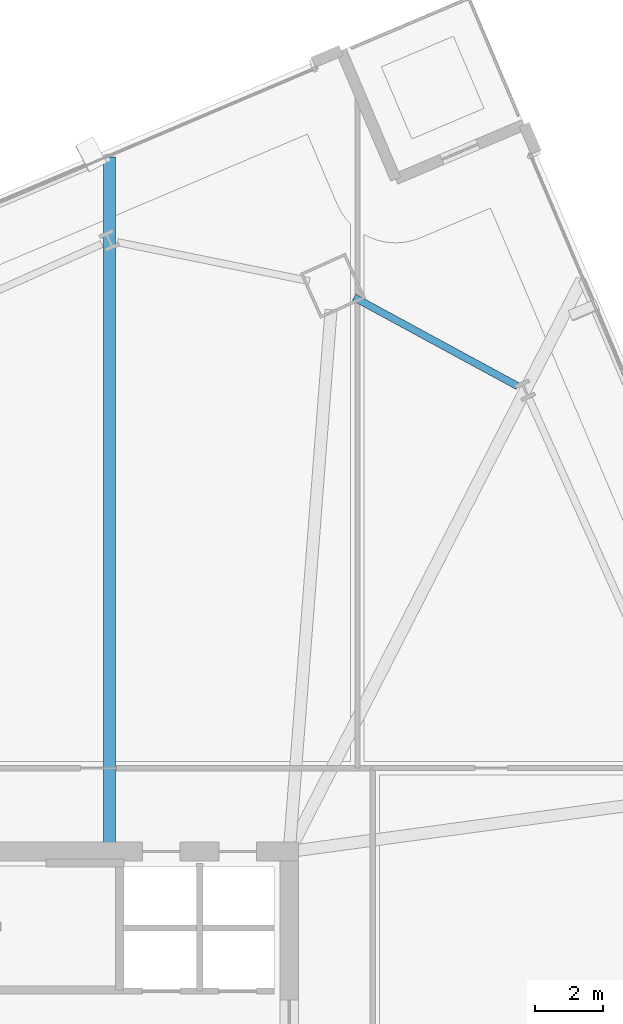
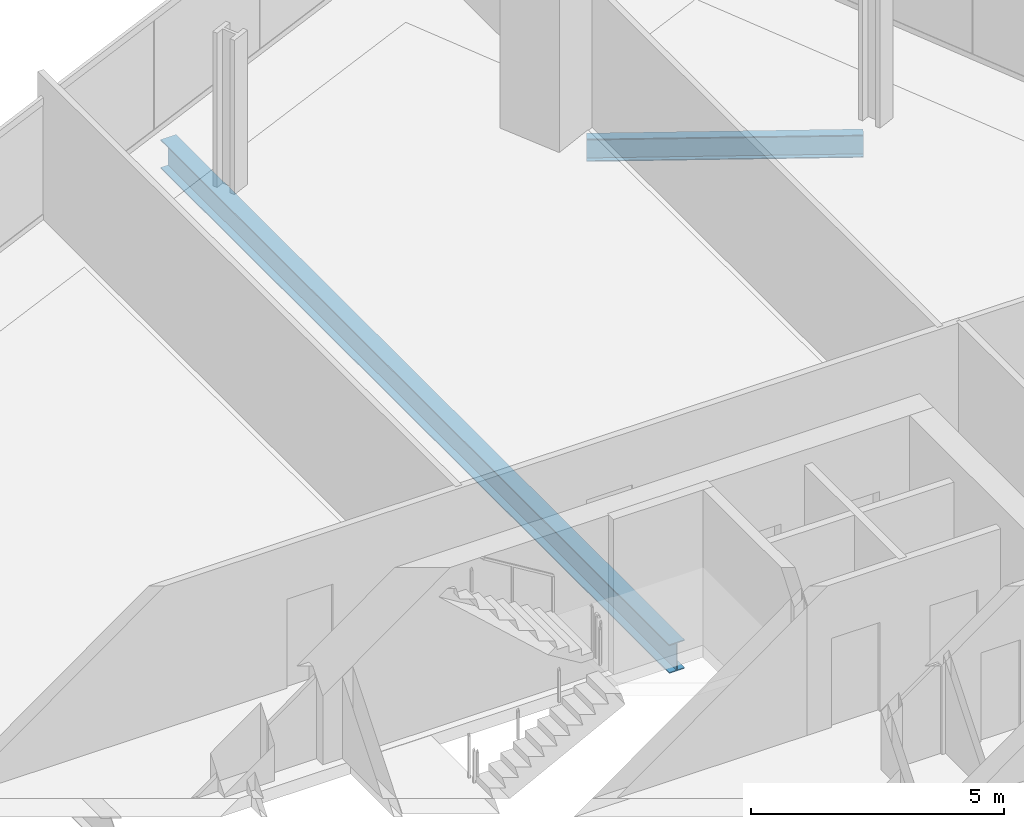
# One storey, part 22 of 34: 2 beams.
"""IFC4 building model written with IfcOpenShell, lengths in metres."""

from ifc_helpers import new_model, si_unit, direction, frame, origin, origin_2d, place, context, subcontext, project, spatial, i_section, extrude, material, material_profile, profile_set, type_object, element, save


model = new_model("IFC4")

# Units and contexts
model_context = context("Model", 3, precision=1e-05, world=origin(), true_north=direction((0.0, 1.0)))
body_context = subcontext(model_context, "Body", "Model", "MODEL_VIEW")
ifc_project = project(units=[si_unit("LENGTHUNIT", "METRE"), si_unit("AREAUNIT", "SQUARE_METRE"), si_unit("VOLUMEUNIT", "CUBIC_METRE"), si_unit("PLANEANGLEUNIT", "RADIAN"), si_unit("MASSUNIT", "GRAM", prefix="KILO")], contexts=[model_context])

# Site, building, storey
site_placement = place(None, origin())
site = spatial("IfcSite", under=ifc_project, at=site_placement, CompositionType="ELEMENT")
building_placement = place(site_placement, origin())
building = spatial("IfcBuilding", under=site, at=building_placement, Name="Haldenkirk Collegiate Tower", CompositionType="ELEMENT")
storey_placement = place(building_placement, frame((0.0, 0.0, 105.449951171875)))
storey = spatial("IfcBuildingStorey", under=building, at=storey_placement, Name="L25", CompositionType="ELEMENT", Elevation=105.449951171875)

# Beams
ifc_material = material(Name="Steel ASTM A992 Grade 50", Category="steel")
ifc_material_profile_1 = material_profile(ifc_material, i_section(OverallWidth=0.35498046875, OverallDepth=0.696044921875, WebThickness=0.015380859375, FlangeThickness=0.02490234375, at=origin_2d()), Name="W27X146")
ifc_profile_set_1 = profile_set([ifc_material_profile_1], Name="Steel ASTM A992 Grade 50")
beam_type_1 = type_object("IfcBeamType", Name="BM-GIRDER-W27X146", PredefinedType="BEAM", material=ifc_profile_set_1)
beam_1_placement = place(storey_placement, frame((39.71630859375, 54.388916015625, -0.64794921875), z_axis=(0.0, -1.0, 0.0), x_axis=(1.0, 0.0, 0.0)))
element("IfcBeam", 1, at=beam_1_placement, inside=storey, type_object=beam_type_1, Name="L25 primary floor girder 11", PredefinedType="BEAM", context=body_context, shape_type="SweptSolid", body=[
    extrude(i_section(OverallWidth=0.35498046875, OverallDepth=0.696044921875, WebThickness=0.015380859375, FlangeThickness=0.02490234375, at=origin_2d()), origin(), (0.0, 0.0, 1.0), 20.134033203125),
])
ifc_material_profile_2 = material_profile(ifc_material, i_section(OverallWidth=0.2119140625, OverallDepth=0.5439453125, WebThickness=0.01318359375, FlangeThickness=0.021240234375, at=origin_2d()), Name="W21X83")
ifc_profile_set_2 = profile_set([ifc_material_profile_2], Name="Steel ASTM A992 Grade 50")
beam_type_2 = type_object("IfcBeamType", Name="BM-SPANDREL-W21X83", PredefinedType="SPANDREL", material=ifc_profile_set_2)
beam_2_placement = place(storey_placement, frame((51.714599609375, 47.66015625, -0.572021484375), z_axis=(-0.878835810931, 0.477124320723, 0.0), x_axis=(-0.477124320723, -0.878835810931, 0.0)))
element("IfcBeam", 2, at=beam_2_placement, inside=storey, type_object=beam_type_2, Name="L25 perimeter spandrel beam 08", PredefinedType="SPANDREL", context=body_context, shape_type="SweptSolid", body=[
    extrude(i_section(OverallWidth=0.2119140625, OverallDepth=0.5439453125, WebThickness=0.01318359375, FlangeThickness=0.021240234375, at=origin_2d()), origin(), (0.0, 0.0, 1.0), 5.477783203125),
])

save(model, "model.ifc")
